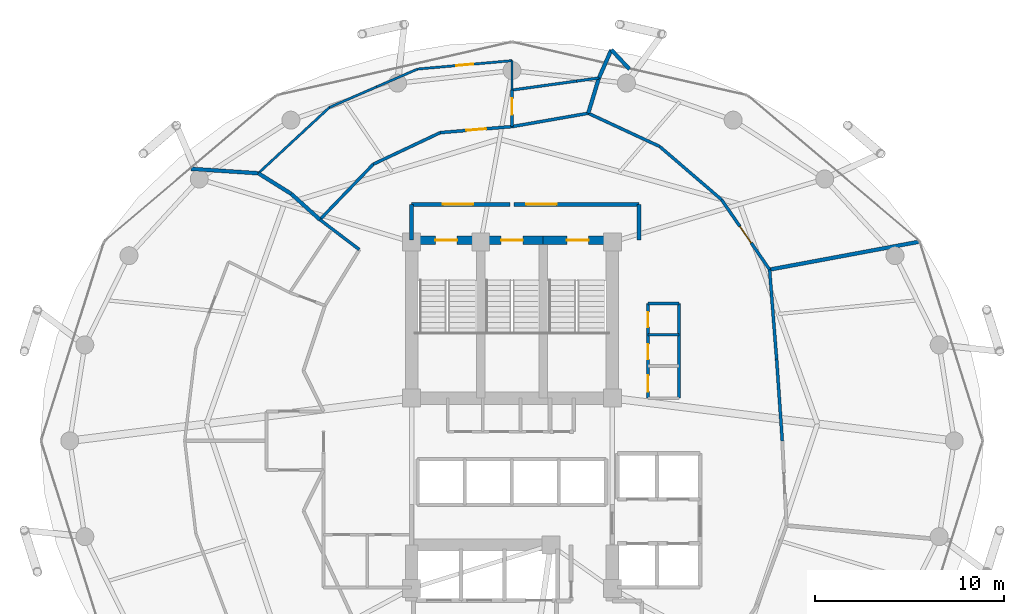
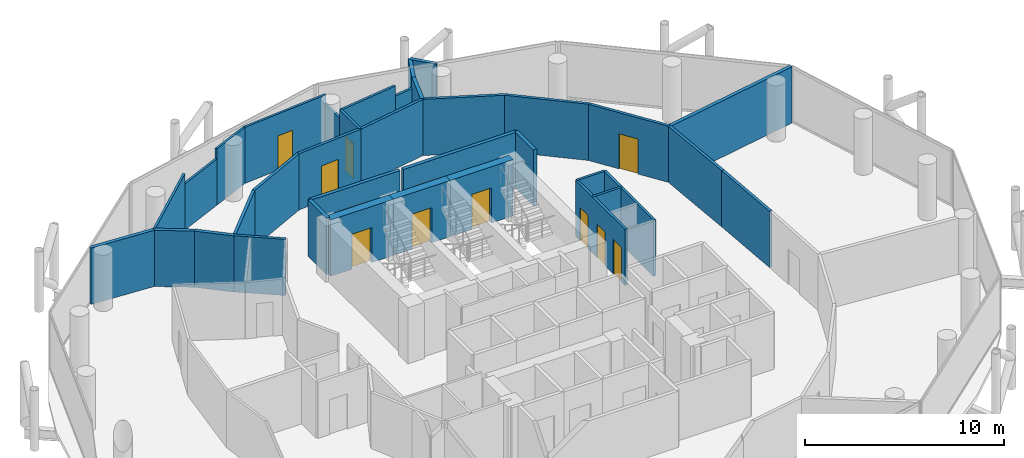
# One storey, part 24 of 26: 36 walls, 12 doors, 12 openings.
"""IFC4 building model written with IfcOpenShell, lengths in metres."""

from ifc_helpers import new_model, si_unit, direction, frame, frame_2d, origin, place, context, subcontext, project, spatial, rectangle, extrude, material, layer, layer_set, type_object, element, fill, save


model = new_model("IFC4")

# Units and contexts
model_context = context("Model", 3, precision=1e-05, world=origin(), true_north=direction((0.0, 1.0)))
body_context = subcontext(model_context, "Body", "Model", "MODEL_VIEW")
ifc_project = project(units=[si_unit("LENGTHUNIT", "METRE"), si_unit("AREAUNIT", "SQUARE_METRE"), si_unit("VOLUMEUNIT", "CUBIC_METRE"), si_unit("PLANEANGLEUNIT", "RADIAN"), si_unit("MASSUNIT", "GRAM", prefix="KILO")], contexts=[model_context])

# Site, building, storey
site_placement = place(None, origin())
site = spatial("IfcSite", under=ifc_project, at=site_placement, CompositionType="ELEMENT")
building_placement = place(site_placement, origin())
building = spatial("IfcBuilding", under=site, at=building_placement, Name="Nuhasar Tower", CompositionType="ELEMENT")
storey_placement = place(building_placement, frame((0.0, 0.0, 170.050048828125)))
storey = spatial("IfcBuildingStorey", under=building, at=storey_placement, Name="L41", CompositionType="ELEMENT", Elevation=170.050048828125)

# Wall, opening, door
ifc_material_1 = material(Name="Concrete C50/60", Category="concrete")
ifc_layer_1 = layer(ifc_material_1, 0.449951171875)
ifc_layer_set_1 = layer_set([ifc_layer_1], Name="Concrete C50/60")
wall_type_1 = type_object("IfcWallType", Name="WL-CORE-450", PredefinedType="SHEAR", material=ifc_layer_set_1)
wall_1_placement = place(storey_placement, frame((37.35009765625, 37.39990234375, 0.0), z_axis=(0.0, 0.0, 1.0), x_axis=(-1.0, 0.0, 0.0)))
wall_1 = element("IfcWall", 1, at=wall_1_placement, inside=storey, type_object=wall_type_1, Name="L41 Stairwell Shear Wall ST01-N", PredefinedType="SHEAR", context=body_context, shape_type="SweptSolid", body=[
    extrude(rectangle(XDim=3.650146484375, YDim=0.449951171875, at=frame_2d((1.8251953125, 0.0))), origin(), (0.0, 0.0, 1.0), 3.449951171875),
])
opening_1_placement = place(wall_1_placement, frame((1.25, 0.0, 0.0)))
opening_1 = element("IfcOpeningElement", 2, at=opening_1_placement, cuts=wall_1, Name="Opening DS-01", PredefinedType="OPENING", context=body_context, shape_type="SweptSolid", body=[
    extrude(rectangle(XDim=1.14990234375, YDim=2.14990234375, at=frame_2d((0.574951171875, 1.074951171875))), frame((0.0, 0.23486328125, 0.0), z_axis=(0.0, -1.0, 0.0), x_axis=(1.0, 0.0, 0.0)), (0.0, 0.0, 1.0), 0.469970703125),
])
ifc_material_2 = material(Name="Steel S355", Category="steel")
door_type_1 = type_object("IfcDoorType", Name="DR-STAIR-FD120-1150", OperationType="NOTDEFINED", PredefinedType="DOOR", material=ifc_material_2)
door_1_placement = place(opening_1_placement, origin())
door_1 = element("IfcDoor", 3, at=door_1_placement, inside=storey, type_object=door_type_1, Name="L41 Exit Stair ST-01 Door", OperationType="SINGLE_SWING_RIGHT", OverallHeight=2.14990234375, OverallWidth=1.14990234375, PredefinedType="DOOR", context=body_context, shape_type="SweptSolid", body=[
    extrude(rectangle(XDim=1.14990234375, YDim=2.14990234375, at=frame_2d((0.574951171875, 1.074951171875))), frame((0.0, 0.02490234375, 0.0), z_axis=(0.0, -1.0, 0.0), x_axis=(1.0, 0.0, 0.0)), (0.0, 0.0, 1.0), 0.050048828125),
])
fill(opening_1, door_1)

wall_2_placement = place(storey_placement, frame((40.64990234375, 37.39990234375, 0.0), z_axis=(0.0, 0.0, 1.0), x_axis=(-1.0, 0.0, 0.0)))
wall_2 = element("IfcWall", 4, at=wall_2_placement, inside=storey, type_object=wall_type_1, Name="L41 Stairwell Shear Wall ST03-N", PredefinedType="SHEAR", context=body_context, shape_type="SweptSolid", body=[
    extrude(rectangle(XDim=3.2998046875, YDim=0.449951171875, at=frame_2d((1.64990234375, 0.0))), origin(), (0.0, 0.0, 1.0), 3.449951171875),
])
opening_2_placement = place(wall_2_placement, frame((1.074951171875, 0.0, 0.0)))
opening_2 = element("IfcOpeningElement", 5, at=opening_2_placement, cuts=wall_2, Name="Opening DS-01", PredefinedType="OPENING", context=body_context, shape_type="SweptSolid", body=[
    extrude(rectangle(XDim=1.14990234375, YDim=2.14990234375, at=frame_2d((0.574951171875, 1.074951171875))), frame((0.0, 0.23486328125, 0.0), z_axis=(0.0, -1.0, 0.0), x_axis=(1.0, 0.0, 0.0)), (0.0, 0.0, 1.0), 0.469970703125),
])
door_2_placement = place(opening_2_placement, origin())
door_2 = element("IfcDoor", 6, at=door_2_placement, inside=storey, type_object=door_type_1, Name="L41 Exit Stair ST-03 Door", OperationType="SINGLE_SWING_RIGHT", OverallHeight=2.14990234375, OverallWidth=1.14990234375, PredefinedType="DOOR", context=body_context, shape_type="SweptSolid", body=[
    extrude(rectangle(XDim=1.14990234375, YDim=2.14990234375, at=frame_2d((0.574951171875, 1.074951171875))), frame((0.0, 0.02490234375, 0.0), z_axis=(0.0, -1.0, 0.0), x_axis=(1.0, 0.0, 0.0)), (0.0, 0.0, 1.0), 0.050048828125),
])
fill(opening_2, door_2)

wall_3_placement = place(storey_placement, frame((44.300048828125, 37.39990234375, 0.0), z_axis=(0.0, 0.0, 1.0), x_axis=(-1.0, 0.0, 0.0)))
wall_3 = element("IfcWall", 7, at=wall_3_placement, inside=storey, type_object=wall_type_1, Name="L41 Stairwell Shear Wall ST02-N", PredefinedType="SHEAR", context=body_context, shape_type="SweptSolid", body=[
    extrude(rectangle(XDim=3.650146484375, YDim=0.449951171875, at=frame_2d((1.8251953125, 0.0))), origin(), (0.0, 0.0, 1.0), 3.449951171875),
])
opening_3_placement = place(wall_3_placement, frame((1.25, 0.0, 0.0)))
opening_3 = element("IfcOpeningElement", 8, at=opening_3_placement, cuts=wall_3, Name="Opening DS-01", PredefinedType="OPENING", context=body_context, shape_type="SweptSolid", body=[
    extrude(rectangle(XDim=1.14990234375, YDim=2.14990234375, at=frame_2d((0.574951171875, 1.074951171875))), frame((0.0, 0.23486328125, 0.0), z_axis=(0.0, -1.0, 0.0), x_axis=(1.0, 0.0, 0.0)), (0.0, 0.0, 1.0), 0.469970703125),
])
door_3_placement = place(opening_3_placement, origin())
door_3 = element("IfcDoor", 9, at=door_3_placement, inside=storey, type_object=door_type_1, Name="L41 Exit Stair ST-02 Door", OperationType="SINGLE_SWING_LEFT", OverallHeight=2.14990234375, OverallWidth=1.14990234375, PredefinedType="DOOR", context=body_context, shape_type="SweptSolid", body=[
    extrude(rectangle(XDim=1.14990234375, YDim=2.14990234375, at=frame_2d((0.574951171875, 1.074951171875))), frame((0.0, 0.02490234375, 0.0), z_axis=(0.0, -1.0, 0.0), x_axis=(1.0, 0.0, 0.0)), (0.0, 0.0, 1.0), 0.050048828125),
])
fill(opening_3, door_3)

# Walls
ifc_material_3 = material(Name="Gypsum Board", Category="gypsum")
ifc_layer_2 = layer(ifc_material_3, 0.159912109375)
ifc_layer_set_2 = layer_set([ifc_layer_2], Name="Gypsum Board")
wall_type_2 = type_object("IfcWallType", Name="WL-CORR-160", PredefinedType="PARTITIONING", material=ifc_layer_set_2)
wall_4_placement = place(storey_placement, frame((53.27001953125, 26.800048828125, 0.0), z_axis=(0.0, 0.0, 1.0), x_axis=(-0.068997967222, 0.99761680044, 0.0)))
element("IfcWall", 10, at=wall_4_placement, inside=storey, type_object=wall_type_2, Name="L41 Interior Partition CORR-00", PredefinedType="PARTITIONING", context=body_context, shape_type="SweptSolid", body=[
    extrude(rectangle(XDim=4.3203125, YDim=0.159912109375, at=frame_2d((2.16015625, 0.0))), origin(), (0.0, 0.0, 1.0), 3.449951171875),
])
wall_5_placement = place(storey_placement, frame((52.971923828125, 31.110107421875, 0.0), z_axis=(0.0, 0.0, 1.0), x_axis=(-0.078589421441, 0.996907068306, 0.0)))
element("IfcWall", 11, at=wall_5_placement, inside=storey, type_object=wall_type_2, Name="L41 Interior Partition CORR-02", PredefinedType="PARTITIONING", context=body_context, shape_type="SweptSolid", body=[
    extrude(rectangle(XDim=4.74365234375, YDim=0.159912109375, at=frame_2d((2.371826171875, 0.0))), origin(), (0.0, 0.0, 1.0), 3.449951171875),
])

# Wall, opening, door
wall_6_placement = place(storey_placement, frame((50.06201171875, 39.533935546875, 0.0), z_axis=(0.0, 0.0, 1.0), x_axis=(0.566061755794, -0.824362837971, 0.0)))
wall_6 = element("IfcWall", 12, at=wall_6_placement, inside=storey, type_object=wall_type_2, Name="L41 Interior Partition CORR-04", PredefinedType="PARTITIONING", context=body_context, shape_type="SweptSolid", body=[
    extrude(rectangle(XDim=4.48193359375, YDim=0.159912109375, at=frame_2d((2.240966796875, 0.0))), origin(), (0.0, 0.0, 1.0), 3.449951171875),
])
opening_4_placement = place(wall_6_placement, frame((1.716064453125, 0.0, 0.0)))
opening_4 = element("IfcOpeningElement", 13, at=opening_4_placement, cuts=wall_6, Name="Opening DU-01", PredefinedType="OPENING", context=body_context, shape_type="SweptSolid", body=[
    extrude(rectangle(XDim=1.050048828125, YDim=2.14990234375, at=frame_2d((0.52490234375, 1.074951171875))), frame((0.0, 0.08984375, 0.0), z_axis=(0.0, -1.0, 0.0), x_axis=(1.0, 0.0, 0.0)), (0.0, 0.0, 1.0), 0.179931640625),
])
ifc_material_4 = material(Name="Timber Oak", Category="wood")
door_type_2 = type_object("IfcDoorType", Name="DR-SUITE-FD60-1050", OperationType="NOTDEFINED", PredefinedType="DOOR", material=ifc_material_4)
door_4_placement = place(opening_4_placement, origin())
door_4 = element("IfcDoor", 14, at=door_4_placement, inside=storey, type_object=door_type_2, Name="L41 Butler Catering Kitchen Entrance Door", OperationType="SINGLE_SWING_LEFT", OverallHeight=2.14990234375, OverallWidth=1.050048828125, PredefinedType="DOOR", context=body_context, shape_type="SweptSolid", body=[
    extrude(rectangle(XDim=1.050048828125, YDim=2.14990234375, at=frame_2d((0.52490234375, 1.074951171875))), frame((0.0, 0.02490234375, 0.0), z_axis=(0.0, -1.0, 0.0), x_axis=(1.0, 0.0, 0.0)), (0.0, 0.0, 1.0), 0.050048828125),
])
fill(opening_4, door_4)

# Walls
wall_7_placement = place(storey_placement, frame((50.06201171875, 39.533935546875, 0.0), z_axis=(0.0, 0.0, 1.0), x_axis=(-0.758367831638, 0.651826841989, 0.0)))
element("IfcWall", 15, at=wall_7_placement, inside=storey, type_object=wall_type_2, Name="L41 Interior Partition CORR-06", PredefinedType="PARTITIONING", context=body_context, shape_type="SweptSolid", body=[
    extrude(rectangle(XDim=4.30810546875, YDim=0.159912109375, at=frame_2d((2.154052734375, 0.0))), origin(), (0.0, 0.0, 1.0), 3.449951171875),
])
wall_8_placement = place(storey_placement, frame((46.794921875, 42.342041015625, 0.0), z_axis=(0.0, 0.0, 1.0), x_axis=(-0.906821379678, 0.421515106916, 0.0)))
element("IfcWall", 16, at=wall_8_placement, inside=storey, type_object=wall_type_2, Name="L41 Interior Partition CORR-08", PredefinedType="PARTITIONING", context=body_context, shape_type="SweptSolid", body=[
    extrude(rectangle(XDim=4.15625, YDim=0.159912109375, at=frame_2d((2.078125, 0.0))), origin(), (0.0, 0.0, 1.0), 3.449951171875),
])
wall_9_placement = place(storey_placement, frame((43.02587890625, 44.093994140625, 0.0), z_axis=(0.0, 0.0, 1.0), x_axis=(-0.985048212501, -0.172278899021, 0.0)))
element("IfcWall", 17, at=wall_9_placement, inside=storey, type_object=wall_type_2, Name="L41 Interior Partition CORR-10", PredefinedType="PARTITIONING", context=body_context, shape_type="SweptSolid", body=[
    extrude(rectangle(XDim=4.0869140625, YDim=0.159912109375, at=frame_2d((2.04345703125, 0.0))), origin(), (0.0, 0.0, 1.0), 3.449951171875),
])

# Wall, opening, door
wall_10_placement = place(storey_placement, frame((35.2119140625, 43.072021484375, 0.0), z_axis=(0.0, 0.0, 1.0), x_axis=(0.9964977572, 0.083619494707, 0.0)))
wall_10 = element("IfcWall", 18, at=wall_10_placement, inside=storey, type_object=wall_type_2, Name="L41 Interior Partition CORR-12", PredefinedType="PARTITIONING", context=body_context, shape_type="SweptSolid", body=[
    extrude(rectangle(XDim=3.801513671875, YDim=0.159912109375, at=frame_2d((1.90087890625, 0.0))), origin(), (0.0, 0.0, 1.0), 3.449951171875),
])
opening_5_placement = place(wall_10_placement, frame((1.3759765625, 0.0, 0.0)))
opening_5 = element("IfcOpeningElement", 19, at=opening_5_placement, cuts=wall_10, Name="Opening DU-01", PredefinedType="OPENING", context=body_context, shape_type="SweptSolid", body=[
    extrude(rectangle(XDim=1.050048828125, YDim=2.14990234375, at=frame_2d((0.52490234375, 1.074951171875))), frame((0.0, 0.08984375, 0.0), z_axis=(0.0, -1.0, 0.0), x_axis=(1.0, 0.0, 0.0)), (0.0, 0.0, 1.0), 0.179931640625),
])
door_5_placement = place(opening_5_placement, origin())
door_5 = element("IfcDoor", 20, at=door_5_placement, inside=storey, type_object=door_type_2, Name="L41 Ambassador Suite North-East Entrance Door", OperationType="SINGLE_SWING_LEFT", OverallHeight=2.14990234375, OverallWidth=1.050048828125, PredefinedType="DOOR", context=body_context, shape_type="SweptSolid", body=[
    extrude(rectangle(XDim=1.050048828125, YDim=2.14990234375, at=frame_2d((0.52490234375, 1.074951171875))), frame((0.0, 0.02490234375, 0.0), z_axis=(0.0, -1.0, 0.0), x_axis=(1.0, 0.0, 0.0)), (0.0, 0.0, 1.0), 0.050048828125),
])
fill(opening_5, door_5)

# Walls
wall_11_placement = place(storey_placement, frame((35.2119140625, 43.072021484375, 0.0), z_axis=(0.0, 0.0, 1.0), x_axis=(-0.904422045182, -0.426638915465, 0.0)))
element("IfcWall", 21, at=wall_11_placement, inside=storey, type_object=wall_type_2, Name="L41 Interior Partition CORR-14", PredefinedType="PARTITIONING", context=body_context, shape_type="SweptSolid", body=[
    extrude(rectangle(XDim=3.90966796875, YDim=0.159912109375, at=frame_2d((1.954833984375, 0.0))), origin(), (0.0, 0.0, 1.0), 3.449951171875),
])
wall_12_placement = place(storey_placement, frame((31.676025390625, 41.404052734375, 0.0), z_axis=(0.0, 0.0, 1.0), x_axis=(-0.693829815221, -0.720139005686, 0.0)))
element("IfcWall", 22, at=wall_12_placement, inside=storey, type_object=wall_type_2, Name="L41 Interior Partition CORR-16", PredefinedType="PARTITIONING", context=body_context, shape_type="SweptSolid", body=[
    extrude(rectangle(XDim=4.064453125, YDim=0.159912109375, at=frame_2d((2.0322265625, 0.0))), origin(), (0.0, 0.0, 1.0), 3.449951171875),
])
wall_13_placement = place(storey_placement, frame((30.93896484375, 36.89697265625, 0.0), z_axis=(0.0, 0.0, 1.0), x_axis=(-0.796716077532, 0.604353780332, 0.0)))
element("IfcWall", 23, at=wall_13_placement, inside=storey, type_object=wall_type_2, Name="L41 Interior Partition HRAD-18-IN", PredefinedType="PARTITIONING", context=body_context, shape_type="SweptSolid", body=[
    extrude(rectangle(XDim=2.614501953125, YDim=0.159912109375, at=frame_2d((1.30712890625, 0.0))), origin(), (0.0, 0.0, 1.0), 3.449951171875),
])
ifc_material_5 = material(Name="Concrete C45/55", Category="concrete")
ifc_layer_3 = layer(ifc_material_5, 0.199951171875)
ifc_layer_set_3 = layer_set([ifc_layer_3], Name="Concrete C45/55")
wall_type_3 = type_object("IfcWallType", Name="WL-LOBBY-200", PredefinedType="SOLIDWALL", material=ifc_layer_set_3)
for number, where, z_axis, x_axis, name in (
    (24, (33.699951171875, 37.39990234375, 0.0), (0.0, 0.0, 1.0), (0.0, 1.0, 0.0), "L41 Interior Partition NSL-W"),
    (25, (45.699951171875, 37.39990234375, 0.0), (0.0, 0.0, 1.0), (0.0, 1.0, 0.0), "L41 Interior Partition NSL-E"),
):
    element("IfcWall", number, at=place(storey_placement, frame(where, z_axis=z_axis, x_axis=x_axis)), inside=storey, type_object=wall_type_3, Name=name, PredefinedType="SOLIDWALL", context=body_context, shape_type="SweptSolid", body=[
        extrude(rectangle(XDim=1.880126953125, YDim=0.199951171875, at=frame_2d((0.93994140625, 0.0))), origin(), (0.0, 0.0, 1.0), 3.449951171875),
    ])

# Wall, opening, door
wall_14_placement = place(storey_placement, frame((38.89990234375, 39.280029296875, 0.0), z_axis=(0.0, 0.0, 1.0), x_axis=(-1.0, 0.0, 0.0)))
wall_14 = element("IfcWall", 26, at=wall_14_placement, inside=storey, type_object=wall_type_3, Name="L41 Interior Partition NSL-N1", PredefinedType="SOLIDWALL", context=body_context, shape_type="SweptSolid", body=[
    extrude(rectangle(XDim=5.199951171875, YDim=0.199951171875, at=frame_2d((2.60009765625, 0.0))), origin(), (0.0, 0.0, 1.0), 3.449951171875),
])
opening_6_placement = place(wall_14_placement, frame((1.949951171875, 0.0, 0.0)))
opening_6 = element("IfcOpeningElement", 27, at=opening_6_placement, cuts=wall_14, Name="Opening DC-01", PredefinedType="OPENING", context=body_context, shape_type="SweptSolid", body=[
    extrude(rectangle(XDim=1.60009765625, YDim=2.199951171875, at=frame_2d((0.800048828125, 1.10009765625))), frame((0.0, 0.10986328125, 0.0), z_axis=(0.0, -1.0, 0.0), x_axis=(1.0, 0.0, 0.0)), (0.0, 0.0, 1.0), 0.219970703125),
])
door_type_3 = type_object("IfcDoorType", Name="DR-CORR-FD60-1600", OperationType="DOUBLE_DOOR_SINGLE_SWING", PredefinedType="DOOR", material=ifc_material_2)
door_6_placement = place(opening_6_placement, origin())
door_6 = element("IfcDoor", 28, at=door_6_placement, inside=storey, type_object=door_type_3, Name="L41 North Stair Lobby West Door", OperationType="DOUBLE_DOOR_SINGLE_SWING", OverallHeight=2.199951171875, OverallWidth=1.60009765625, PredefinedType="DOOR", context=body_context, shape_type="SweptSolid", body=[
    extrude(rectangle(XDim=1.60009765625, YDim=2.199951171875, at=frame_2d((0.800048828125, 1.10009765625))), frame((0.0, 0.02490234375, 0.0), z_axis=(0.0, -1.0, 0.0), x_axis=(1.0, 0.0, 0.0)), (0.0, 0.0, 1.0), 0.050048828125),
])
fill(opening_6, door_6)

wall_15_placement = place(storey_placement, frame((45.699951171875, 39.280029296875, 0.0), z_axis=(0.0, 0.0, 1.0), x_axis=(-1.0, 0.0, 0.0)))
wall_15 = element("IfcWall", 29, at=wall_15_placement, inside=storey, type_object=wall_type_3, Name="L41 Interior Partition NSL-N2", PredefinedType="SOLIDWALL", context=body_context, shape_type="SweptSolid", body=[
    extrude(rectangle(XDim=6.599853515625, YDim=0.199951171875, at=frame_2d((3.2998046875, 0.0))), origin(), (0.0, 0.0, 1.0), 3.449951171875),
])
opening_7_placement = place(wall_15_placement, frame((4.35009765625, 0.0, 0.0)))
opening_7 = element("IfcOpeningElement", 30, at=opening_7_placement, cuts=wall_15, Name="Opening DC-01", PredefinedType="OPENING", context=body_context, shape_type="SweptSolid", body=[
    extrude(rectangle(XDim=1.60009765625, YDim=2.199951171875, at=frame_2d((0.800048828125, 1.10009765625))), frame((0.0, 0.10986328125, 0.0), z_axis=(0.0, -1.0, 0.0), x_axis=(1.0, 0.0, 0.0)), (0.0, 0.0, 1.0), 0.219970703125),
])
door_7_placement = place(opening_7_placement, origin())
door_7 = element("IfcDoor", 31, at=door_7_placement, inside=storey, type_object=door_type_3, Name="L41 North Stair Lobby East Door", OperationType="DOUBLE_DOOR_SINGLE_SWING", OverallHeight=2.199951171875, OverallWidth=1.60009765625, PredefinedType="DOOR", context=body_context, shape_type="SweptSolid", body=[
    extrude(rectangle(XDim=1.60009765625, YDim=2.199951171875, at=frame_2d((0.800048828125, 1.10009765625))), frame((0.0, 0.02490234375, 0.0), z_axis=(0.0, -1.0, 0.0), x_axis=(1.0, 0.0, 0.0)), (0.0, 0.0, 1.0), 0.050048828125),
])
fill(opening_7, door_7)

# Wall
ifc_layer_4 = layer(ifc_material_3, 0.125)
ifc_layer_set_4 = layer_set([ifc_layer_4], Name="Gypsum Board")
wall_type_4 = type_object("IfcWallType", Name="WL-PART-125", PredefinedType="PARTITIONING", material=ifc_layer_set_4)
wall_16_placement = place(storey_placement, frame((39.0, 45.320068359375, 0.0), z_axis=(0.0, 0.0, 1.0), x_axis=(0.0, 1.0, 0.0)))
element("IfcWall", 32, at=wall_16_placement, inside=storey, type_object=wall_type_4, Name="L41 Interior Partition HBS-05", PredefinedType="PARTITIONING", context=body_context, shape_type="SweptSolid", body=[
    extrude(rectangle(XDim=1.550048828125, YDim=0.125, at=frame_2d((0.77490234375, 0.0))), origin(), (0.0, 0.0, 1.0), 2.9150390625),
])

# Wall, opening, door
wall_17_placement = place(storey_placement, frame((34.013916015625, 46.428955078125, 0.0), z_axis=(0.0, 0.0, 1.0), x_axis=(0.996108594928, 0.088134369634, 0.0)))
wall_17 = element("IfcWall", 33, at=wall_17_placement, inside=storey, type_object=wall_type_4, Name="L41 Interior Partition HSAL-05-12", PredefinedType="PARTITIONING", context=body_context, shape_type="SweptSolid", body=[
    extrude(rectangle(XDim=5.005615234375, YDim=0.125, at=frame_2d((2.5029296875, 0.0))), origin(), (0.0, 0.0, 1.0), 3.449951171875),
])
opening_8_placement = place(wall_17_placement, frame((2.052978515625, 0.0, 0.0)))
opening_8 = element("IfcOpeningElement", 34, at=opening_8_placement, cuts=wall_17, Name="Opening DR-01", PredefinedType="OPENING", context=body_context, shape_type="SweptSolid", body=[
    extrude(rectangle(XDim=0.89990234375, YDim=2.10009765625, at=frame_2d((0.449951171875, 1.050048828125))), frame((0.0, 0.072509765625, 0.0), z_axis=(0.0, -1.0, 0.0), x_axis=(1.0, 0.0, 0.0)), (0.0, 0.0, 1.0), 0.14501953125),
])
door_type_4 = type_object("IfcDoorType", Name="DR-ROOM-900", OperationType="NOTDEFINED", PredefinedType="DOOR", material=ifc_material_4)
door_8_placement = place(opening_8_placement, origin())
door_8 = element("IfcDoor", 35, at=door_8_placement, inside=storey, type_object=door_type_4, Name="L41 Ambassador Suite North-East Bedroom Door", OperationType="SINGLE_SWING_LEFT", OverallHeight=2.10009765625, OverallWidth=0.89990234375, PredefinedType="DOOR", context=body_context, shape_type="SweptSolid", body=[
    extrude(rectangle(XDim=0.89990234375, YDim=2.10009765625, at=frame_2d((0.449951171875, 1.050048828125))), frame((0.0, 0.02490234375, 0.0), z_axis=(0.0, -1.0, 0.0), x_axis=(1.0, 0.0, 0.0)), (0.0, 0.0, 1.0), 0.050048828125),
])
fill(opening_8, door_8)

# Walls
wall_18_placement = place(storey_placement, frame((34.013916015625, 46.428955078125, 0.0), z_axis=(0.0, 0.0, 1.0), x_axis=(-0.916977586011, -0.398938725564, 0.0)))
element("IfcWall", 36, at=wall_18_placement, inside=storey, type_object=wall_type_4, Name="L41 Interior Partition HSAL-05-14", PredefinedType="PARTITIONING", context=body_context, shape_type="SweptSolid", body=[
    extrude(rectangle(XDim=2.351318359375, YDim=0.125, at=frame_2d((1.17578125, 0.0))), origin(), (0.0, 0.0, 1.0), 3.449951171875),
])
wall_19_placement = place(storey_placement, frame((31.85791015625, 45.490966796875, 0.0), z_axis=(0.0, 0.0, 1.0), x_axis=(-0.916850166373, -0.399231477242, 0.0)))
element("IfcWall", 37, at=wall_19_placement, inside=storey, type_object=wall_type_4, Name="L41 Interior Partition HSAL-05-14", PredefinedType="PARTITIONING", context=body_context, shape_type="SweptSolid", body=[
    extrude(rectangle(XDim=2.719970703125, YDim=0.125, at=frame_2d((1.35986328125, 0.0))), origin(), (0.0, 0.0, 1.0), 2.829833984375),
])
wall_20_placement = place(storey_placement, frame((29.364013671875, 44.405029296875, 0.0), z_axis=(0.0, 0.0, 1.0), x_axis=(-0.733833747784, -0.679329103316, 0.0)))
element("IfcWall", 38, at=wall_20_placement, inside=storey, type_object=wall_type_4, Name="L41 Interior Partition HSAL-05-16", PredefinedType="PARTITIONING", context=body_context, shape_type="SweptSolid", body=[
    extrude(rectangle(XDim=5.119873046875, YDim=0.125, at=frame_2d((2.56005859375, 0.0))), origin(), (0.0, 0.0, 1.0), 3.449951171875),
])
ifc_material_6 = material(Name="Concrete C40/50 precast", Category="concrete")
ifc_layer_5 = layer(ifc_material_6, 0.199951171875)
ifc_layer_set_5 = layer_set([ifc_layer_5], Name="Concrete C40/50 precast")
wall_type_5 = type_object("IfcWallType", Name="WL-UNIT-200", PredefinedType="PARTITIONING", material=ifc_layer_set_5)
wall_21_placement = place(storey_placement, frame((28.85595703125, 38.47705078125, 0.0), z_axis=(0.0, 0.0, 1.0), x_axis=(-0.742630647444, 0.669701218064, 0.0)))
element("IfcWall", 39, at=wall_21_placement, inside=storey, type_object=wall_type_5, Name="L41 Interior Partition HRAD-18-OUT-S1", PredefinedType="PARTITIONING", context=body_context, shape_type="SweptSolid", body=[
    extrude(rectangle(XDim=2.031982421875, YDim=0.199951171875, at=frame_2d((1.01611328125, 0.0))), origin(), (0.0, 0.0, 1.0), 3.449951171875),
])
wall_22_placement = place(storey_placement, frame((27.346923828125, 39.837890625, 0.0), z_axis=(0.0, 0.0, 1.0), x_axis=(-0.847643984813, 0.530565429529, 0.0)))
element("IfcWall", 40, at=wall_22_placement, inside=storey, type_object=wall_type_5, Name="L41 Interior Partition HRAD-18-OUT-S2", PredefinedType="PARTITIONING", context=body_context, shape_type="SweptSolid", body=[
    extrude(rectangle(XDim=2.052734375, YDim=0.199951171875, at=frame_2d((1.0263671875, 0.0))), origin(), (0.0, 0.0, 1.0), 3.449951171875),
])
wall_23_placement = place(storey_placement, frame((25.60693359375, 40.927001953125, 0.0), z_axis=(0.0, 0.0, 1.0), x_axis=(-0.997870248491, 0.065230109433, 0.0)))
element("IfcWall", 41, at=wall_23_placement, inside=storey, type_object=wall_type_5, Name="L41 Interior Partition HRAD-18-OUT-S3", PredefinedType="PARTITIONING", context=body_context, shape_type="SweptSolid", body=[
    extrude(rectangle(XDim=3.570556640625, YDim=0.199951171875, at=frame_2d((1.78515625, 0.0))), origin(), (0.0, 0.0, 1.0), 3.449951171875),
])
wall_24_placement = place(storey_placement, frame((52.59912109375, 35.839111328125, 0.0), z_axis=(0.0, 0.0, 1.0), x_axis=(0.983059463928, 0.183286907283, 0.0)))
element("IfcWall", 42, at=wall_24_placement, inside=storey, type_object=wall_type_5, Name="L41 Interior Partition HRAD-04", PredefinedType="PARTITIONING", context=body_context, shape_type="SweptSolid", body=[
    extrude(rectangle(XDim=8.0361328125, YDim=0.199951171875, at=frame_2d((4.01806640625, 0.0))), origin(), (0.0, 0.0, 1.0), 3.449951171875),
])
wall_25_placement = place(storey_placement, frame((43.02587890625, 44.093994140625, 0.0), z_axis=(0.0, 0.0, 1.0), x_axis=(0.288948158406, 0.957344745509, 0.0)))
element("IfcWall", 43, at=wall_25_placement, inside=storey, type_object=wall_type_5, Name="L41 Interior Partition HRAD-10-S1", PredefinedType="PARTITIONING", context=body_context, shape_type="SweptSolid", body=[
    extrude(rectangle(XDim=1.945068359375, YDim=0.199951171875, at=frame_2d((0.97265625, 0.0))), origin(), (0.0, 0.0, 1.0), 3.449951171875),
])
wall_26_placement = place(storey_placement, frame((43.587890625, 45.9560546875, 0.0), z_axis=(0.0, 0.0, 1.0), x_axis=(0.403356140533, 0.915043072153, 0.0)))
element("IfcWall", 44, at=wall_26_placement, inside=storey, type_object=wall_type_5, Name="L41 Interior Partition HRAD-10-S2", PredefinedType="PARTITIONING", context=body_context, shape_type="SweptSolid", body=[
    extrude(rectangle(XDim=1.62939453125, YDim=0.199951171875, at=frame_2d((0.814697265625, 0.0))), origin(), (0.0, 0.0, 1.0), 3.449951171875),
])
wall_27_placement = place(storey_placement, frame((44.2451171875, 47.447021484375, 0.0), z_axis=(0.0, 0.0, 1.0), x_axis=(0.681811991259, -0.731527448955, 0.0)))
element("IfcWall", 45, at=wall_27_placement, inside=storey, type_object=wall_type_5, Name="L41 Interior Partition HRAD-10-S3", PredefinedType="PARTITIONING", context=body_context, shape_type="SweptSolid", body=[
    extrude(rectangle(XDim=1.409423828125, YDim=0.199951171875, at=frame_2d((0.70458984375, 0.0))), origin(), (0.0, 0.0, 1.0), 3.449951171875),
])

# Wall, openings, doors
ifc_layer_6 = layer(ifc_material_6, 0.139892578125)
ifc_layer_set_6 = layer_set([ifc_layer_6], Name="Concrete C40/50 precast")
wall_type_6 = type_object("IfcWallType", Name="WL-WET-140", PredefinedType="PARTITIONING", material=ifc_layer_set_6)
wall_28_placement = place(storey_placement, frame((46.179931640625, 34.050048828125, 0.0), z_axis=(0.0, 0.0, 1.0), x_axis=(0.0, -1.0, 0.0)))
wall_28 = element("IfcWall", 46, at=wall_28_placement, inside=storey, type_object=wall_type_6, Name="L41 Interior Partition K1-NE-W", PredefinedType="PARTITIONING", context=body_context, shape_type="SweptSolid", body=[
    extrude(rectangle(XDim=5.0, YDim=0.139892578125, at=frame_2d((2.5, 0.0))), origin(), (0.0, 0.0, 1.0), 3.449951171875),
])
opening_9_placement = place(wall_28_placement, frame((3.800048828125, 0.0, 0.0)))
opening_9 = element("IfcOpeningElement", 47, at=opening_9_placement, cuts=wall_28, Name="Opening DB-01", PredefinedType="OPENING", context=body_context, shape_type="SweptSolid", body=[
    extrude(rectangle(XDim=0.85009765625, YDim=2.10009765625, at=frame_2d((0.425048828125, 1.050048828125))), frame((0.0, 0.080078125, 0.0), z_axis=(0.0, -1.0, 0.0), x_axis=(1.0, 0.0, 0.0)), (0.0, 0.0, 1.0), 0.159912109375),
])
opening_10_placement = place(wall_28_placement, frame((2.14990234375, 0.0, 0.0)))
opening_10 = element("IfcOpeningElement", 48, at=opening_10_placement, cuts=wall_28, Name="Opening DM-01", PredefinedType="OPENING", context=body_context, shape_type="SweptSolid", body=[
    extrude(rectangle(XDim=0.800048828125, YDim=2.050048828125, at=frame_2d((0.39990234375, 1.02490234375))), frame((0.0, 0.080078125, 0.0), z_axis=(0.0, -1.0, 0.0), x_axis=(1.0, 0.0, 0.0)), (0.0, 0.0, 1.0), 0.159912109375),
])
opening_11_placement = place(wall_28_placement, frame((0.449951171875, 0.0, 0.0)))
opening_11 = element("IfcOpeningElement", 49, at=opening_11_placement, cuts=wall_28, Name="Opening DM-01", PredefinedType="OPENING", context=body_context, shape_type="SweptSolid", body=[
    extrude(rectangle(XDim=0.800048828125, YDim=2.050048828125, at=frame_2d((0.39990234375, 1.02490234375))), frame((0.0, 0.080078125, 0.0), z_axis=(0.0, -1.0, 0.0), x_axis=(1.0, 0.0, 0.0)), (0.0, 0.0, 1.0), 0.159912109375),
])
door_type_5 = type_object("IfcDoorType", Name="DR-BATH-850", OperationType="NOTDEFINED", PredefinedType="DOOR", material=ifc_material_4)
door_9_placement = place(opening_9_placement, origin())
door_9 = element("IfcDoor", 50, at=door_9_placement, inside=storey, type_object=door_type_5, Name="L41 NE Female WC Door", OperationType="SINGLE_SWING_RIGHT", OverallHeight=2.10009765625, OverallWidth=0.85009765625, PredefinedType="DOOR", context=body_context, shape_type="SweptSolid", body=[
    extrude(rectangle(XDim=0.85009765625, YDim=2.10009765625, at=frame_2d((0.425048828125, 1.050048828125))), frame((0.0, 0.02490234375, 0.0), z_axis=(0.0, -1.0, 0.0), x_axis=(1.0, 0.0, 0.0)), (0.0, 0.0, 1.0), 0.050048828125),
])
fill(opening_9, door_9)
door_type_6 = type_object("IfcDoorType", Name="DR-RISER-FD60-800", OperationType="NOTDEFINED", PredefinedType="DOOR", material=ifc_material_2)
door_10_placement = place(opening_10_placement, origin())
door_10 = element("IfcDoor", 51, at=door_10_placement, inside=storey, type_object=door_type_6, Name="L41 NE Meter Door", OperationType="SINGLE_SWING_RIGHT", OverallHeight=2.050048828125, OverallWidth=0.800048828125, PredefinedType="DOOR", context=body_context, shape_type="SweptSolid", body=[
    extrude(rectangle(XDim=0.800048828125, YDim=2.050048828125, at=frame_2d((0.39990234375, 1.02490234375))), frame((0.0, 0.02490234375, 0.0), z_axis=(0.0, -1.0, 0.0), x_axis=(1.0, 0.0, 0.0)), (0.0, 0.0, 1.0), 0.050048828125),
])
fill(opening_10, door_10)
door_11_placement = place(opening_11_placement, origin())
door_11 = element("IfcDoor", 52, at=door_11_placement, inside=storey, type_object=door_type_6, Name="L41 NE Telecom Door", OperationType="SINGLE_SWING_LEFT", OverallHeight=2.050048828125, OverallWidth=0.800048828125, PredefinedType="DOOR", context=body_context, shape_type="SweptSolid", body=[
    extrude(rectangle(XDim=0.800048828125, YDim=2.050048828125, at=frame_2d((0.39990234375, 1.02490234375))), frame((0.0, 0.02490234375, 0.0), z_axis=(0.0, -1.0, 0.0), x_axis=(1.0, 0.0, 0.0)), (0.0, 0.0, 1.0), 0.050048828125),
])
fill(opening_11, door_11)

# Walls
for number, where, z_axis, x_axis, name in (
    (53, (46.179931640625, 32.39990234375, 0.0), (0.0, 0.0, 1.0), (1.0, 0.0, 0.0), "L41 Interior Partition K1-NE-M2"),
    (54, (46.179931640625, 34.050048828125, 0.0), (0.0, 0.0, 1.0), (1.0, 0.0, 0.0), "L41 Interior Partition K1-NE-N"),
):
    element("IfcWall", number, at=place(storey_placement, frame(where, z_axis=z_axis, x_axis=x_axis)), inside=storey, type_object=wall_type_6, Name=name, PredefinedType="PARTITIONING", context=body_context, shape_type="SweptSolid", body=[
        extrude(rectangle(XDim=1.64013671875, YDim=0.139892578125, at=frame_2d((0.820068359375, 0.0))), origin(), (0.0, 0.0, 1.0), 3.449951171875),
    ])
wall_29_placement = place(storey_placement, frame((47.820068359375, 29.050048828125, 0.0), z_axis=(0.0, 0.0, 1.0), x_axis=(0.0, 1.0, 0.0)))
element("IfcWall", 55, at=wall_29_placement, inside=storey, type_object=wall_type_6, Name="L41 Interior Partition K1-NE-E", PredefinedType="PARTITIONING", context=body_context, shape_type="SweptSolid", body=[
    extrude(rectangle(XDim=5.0, YDim=0.139892578125, at=frame_2d((2.5, 0.0))), origin(), (0.0, 0.0, 1.0), 3.449951171875),
])

# Wall, opening, door
wall_30_placement = place(storey_placement, frame((39.0, 43.389892578125, 0.0), z_axis=(0.0, 0.0, 1.0), x_axis=(0.0, 1.0, 0.0)))
wall_30 = element("IfcWall", 56, at=wall_30_placement, inside=storey, type_object=wall_type_6, Name="L41 Interior Partition HBW-05", PredefinedType="PARTITIONING", context=body_context, shape_type="SweptSolid", body=[
    extrude(rectangle(XDim=1.93017578125, YDim=0.139892578125, at=frame_2d((0.965087890625, 0.0))), origin(), (0.0, 0.0, 1.0), 3.449951171875),
])
opening_12_placement = place(wall_30_placement, frame((0.635986328125, 0.0, 0.0)))
opening_12 = element("IfcOpeningElement", 57, at=opening_12_placement, cuts=wall_30, Name="Opening DB-01", PredefinedType="OPENING", context=body_context, shape_type="SweptSolid", body=[
    extrude(rectangle(XDim=0.85009765625, YDim=2.10009765625, at=frame_2d((0.425048828125, 1.050048828125))), frame((0.0, 0.080078125, 0.0), z_axis=(0.0, -1.0, 0.0), x_axis=(1.0, 0.0, 0.0)), (0.0, 0.0, 1.0), 0.159912109375),
])
door_12_placement = place(opening_12_placement, origin())
door_12 = element("IfcDoor", 58, at=door_12_placement, inside=storey, type_object=door_type_5, Name="L41 Ambassador Suite North-East En-Suite Door", OperationType="SINGLE_SWING_RIGHT", OverallHeight=2.10009765625, OverallWidth=0.85009765625, PredefinedType="DOOR", context=body_context, shape_type="SweptSolid", body=[
    extrude(rectangle(XDim=0.85009765625, YDim=2.10009765625, at=frame_2d((0.425048828125, 1.050048828125))), frame((0.0, 0.02490234375, 0.0), z_axis=(0.0, -1.0, 0.0), x_axis=(1.0, 0.0, 0.0)), (0.0, 0.0, 1.0), 0.050048828125),
])
fill(opening_12, door_12)

# Walls
wall_31_placement = place(storey_placement, frame((43.587890625, 45.9560546875, 0.0), z_axis=(0.0, 0.0, 1.0), x_axis=(-0.990487649922, -0.137601654613, 0.0)))
element("IfcWall", 59, at=wall_31_placement, inside=storey, type_object=wall_type_6, Name="L41 Interior Partition HBF-05-10", PredefinedType="PARTITIONING", context=body_context, shape_type="SweptSolid", body=[
    extrude(rectangle(XDim=1.199462890625, YDim=0.139892578125, at=frame_2d((0.599609375, 0.0))), origin(), (0.0, 0.0, 1.0), 2.829833984375),
])
wall_32_placement = place(storey_placement, frame((42.39990234375, 45.791015625, 0.0), z_axis=(0.0, 0.0, 1.0), x_axis=(-0.990542283226, -0.137207817345, 0.0)))
element("IfcWall", 60, at=wall_32_placement, inside=storey, type_object=wall_type_6, Name="L41 Interior Partition HBF-05-10", PredefinedType="PARTITIONING", context=body_context, shape_type="SweptSolid", body=[
    extrude(rectangle(XDim=3.432373046875, YDim=0.139892578125, at=frame_2d((1.71630859375, 0.0))), origin(), (0.0, 0.0, 1.0), 3.449951171875),
])

save(model, "model.ifc")
